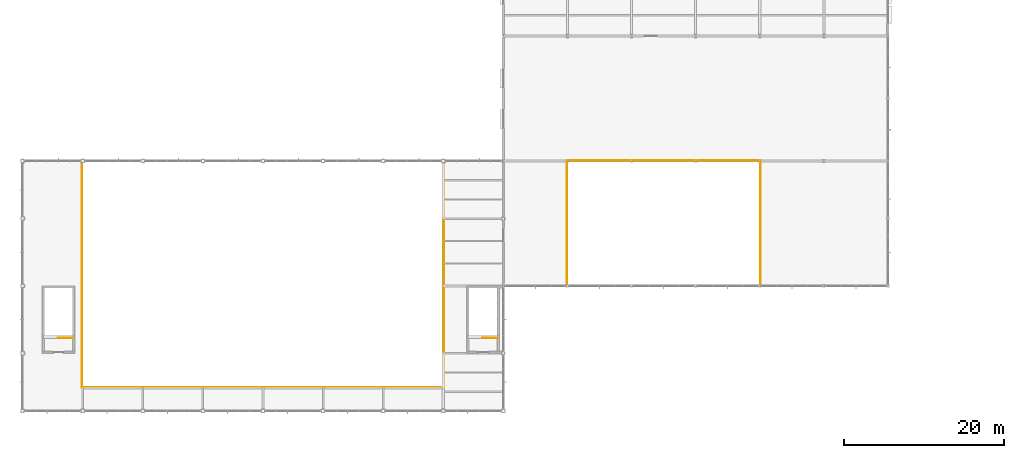
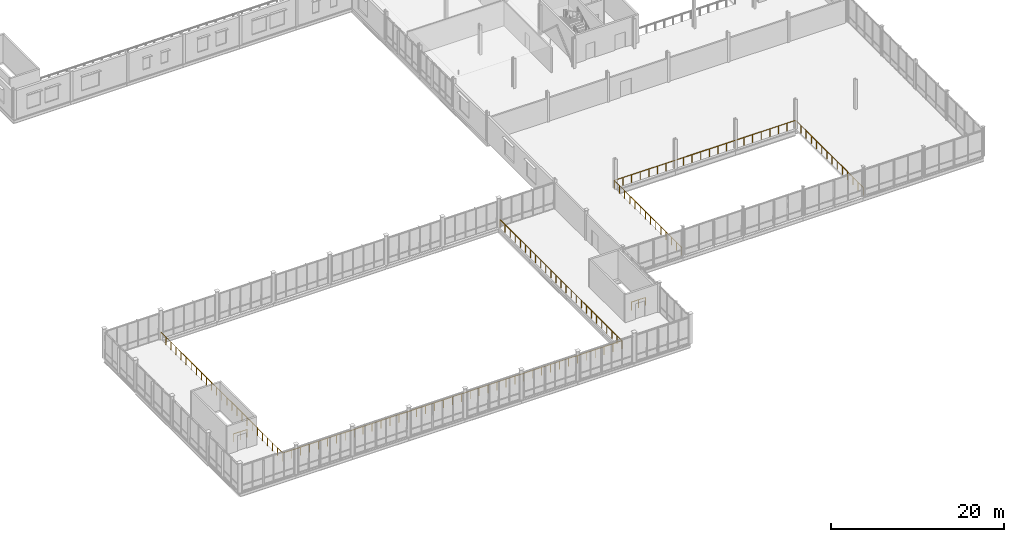
# One storey, part 72 of 75: 4 railings.
"""IFC4 building model written with IfcOpenShell, lengths in metres."""

from ifc_helpers import new_model, si_unit, direction, frame, origin, origin_2d, place, context, subcontext, project, spatial, circle, extrude, material, layer, layer_set, type_object, element, save


model = new_model("IFC4")

# Units and contexts
model_context = context("Model", 3, precision=1e-05, world=origin(), true_north=direction((0.0, 1.0)))
body_context = subcontext(model_context, "Body", "Model", "MODEL_VIEW")
ifc_project = project(units=[si_unit("LENGTHUNIT", "METRE"), si_unit("AREAUNIT", "SQUARE_METRE"), si_unit("VOLUMEUNIT", "CUBIC_METRE"), si_unit("PLANEANGLEUNIT", "RADIAN"), si_unit("MASSUNIT", "GRAM", prefix="KILO")], contexts=[model_context])

# Site, building, storey
site_placement = place(None, origin())
site = spatial("IfcSite", under=ifc_project, at=site_placement, CompositionType="ELEMENT")
building_placement = place(site_placement, origin())
building = spatial("IfcBuilding", under=site, at=building_placement, Name="Yukiwa Park Conservatory and Herbarium", CompositionType="ELEMENT")
storey_placement = place(building_placement, frame((0.0, 0.0, 4.800048828125)))
storey = spatial("IfcBuildingStorey", under=building, at=storey_placement, Name="L01", CompositionType="ELEMENT", Elevation=4.800048828125)

# Railings
ifc_material_1 = material(Name="Steel Q235B", Category="steel")
ifc_layer_1 = layer(ifc_material_1, 0.050048828125)
ifc_layer_set_1 = layer_set([ifc_layer_1], Name="Steel Q235B")
railing_type_1 = type_object("IfcRailingType", Name="RL-STAIR-GUARD-1120", PredefinedType="BALUSTRADE", material=ifc_layer_set_1)
for number, where, name in (
    (1, (6.25, 9.10009765625, 0.0), "L01 ST-C1 top well guard 1"),
    (2, (59.25, 9.10009765625, 0.0), "L01 ST-C2 top well guard 1"),
):
    element("IfcRailing", number, at=place(storey_placement, frame(where)), inside=storey, type_object=railing_type_1, Name=name, PredefinedType="BALUSTRADE", context=body_context, shape_type="SweptSolid", body=[
        extrude(circle(Radius=0.02392578125, at=origin_2d()), frame((0.0, 0.0, 1.09619140625), z_axis=(-1.0, 0.0, 0.0), x_axis=(0.0, -1.0, 0.0)), (0.0, 0.0, 1.0), 1.85009765625),
        extrude(circle(Radius=0.02099609375, at=origin_2d()), origin(), (0.0, 0.0, 1.0), 1.072021484375),
        extrude(circle(Radius=0.02099609375, at=origin_2d()), frame((-0.925048828125, 0.0, 0.0)), (0.0, 0.0, 1.0), 1.072021484375),
        extrude(circle(Radius=0.02099609375, at=origin_2d()), frame((-1.85009765625, 0.0, 0.0)), (0.0, 0.0, 1.0), 1.072021484375),
    ])
ifc_material_2 = material(Name="Laminated Tempered Safety Glass", Category="glass")
ifc_layer_2 = layer(ifc_material_2, 0.06005859375)
ifc_layer_set_2 = layer_set([ifc_layer_2], Name="Laminated Tempered Safety Glass")
railing_type_2 = type_object("IfcRailingType", Name="RL-VOID-GUARD-1120", PredefinedType="BALUSTRADE", material=ifc_layer_set_2)
railing_1_placement = place(storey_placement, frame((7.419921875, 31.050048828125, 0.0)))
element("IfcRailing", 3, at=railing_1_placement, inside=storey, type_object=railing_type_2, Name="L01 interior atrium and mezzanine balustrade RL-INT-L01-CWALK1", PredefinedType="BALUSTRADE", context=body_context, shape_type="SweptSolid", body=[
    extrude(circle(Radius=0.02392578125, at=origin_2d()), frame((0.0, 0.0, 1.09619140625), z_axis=(0.0, -1.0, 0.0), x_axis=(1.0, 0.0, 0.0)), (0.0, 0.0, 1.0), 28.130126953125),
    extrude(circle(Radius=0.02392578125, at=origin_2d()), frame((0.0, -28.130126953125, 1.09619140625), z_axis=(1.0, 0.0, 0.0), x_axis=(0.0, 1.0, 0.0)), (0.0, 0.0, 1.0), 45.16015625),
    extrude(circle(Radius=0.02392578125, at=origin_2d()), frame((45.16015625, -28.130126953125, 1.09619140625), z_axis=(0.0, 1.0, 0.0), x_axis=(-1.0, 0.0, 0.0)), (0.0, 0.0, 1.0), 28.130126953125),
    extrude(circle(Radius=0.02099609375, at=origin_2d()), origin(), (0.0, 0.0, 1.0), 1.072021484375),
    extrude(circle(Radius=0.02099609375, at=origin_2d()), frame((0.0, -1.172119140625, 0.0)), (0.0, 0.0, 1.0), 1.072021484375),
    extrude(circle(Radius=0.02099609375, at=origin_2d()), frame((0.0, -2.34423828125, 0.0)), (0.0, 0.0, 1.0), 1.072021484375),
    extrude(circle(Radius=0.02099609375, at=origin_2d()), frame((0.0, -3.516357421875, 0.0)), (0.0, 0.0, 1.0), 1.072021484375),
    extrude(circle(Radius=0.02099609375, at=origin_2d()), frame((0.0, -4.6884765625, 0.0)), (0.0, 0.0, 1.0), 1.072021484375),
    extrude(circle(Radius=0.02099609375, at=origin_2d()), frame((0.0, -5.8603515625, 0.0)), (0.0, 0.0, 1.0), 1.072021484375),
    extrude(circle(Radius=0.02099609375, at=origin_2d()), frame((0.0, -7.032470703125, 0.0)), (0.0, 0.0, 1.0), 1.072021484375),
    extrude(circle(Radius=0.02099609375, at=origin_2d()), frame((0.0, -8.20458984375, 0.0)), (0.0, 0.0, 1.0), 1.072021484375),
    extrude(circle(Radius=0.02099609375, at=origin_2d()), frame((0.0, -9.376708984375, 0.0)), (0.0, 0.0, 1.0), 1.072021484375),
    extrude(circle(Radius=0.02099609375, at=origin_2d()), frame((0.0, -10.548828125, 0.0)), (0.0, 0.0, 1.0), 1.072021484375),
    extrude(circle(Radius=0.02099609375, at=origin_2d()), frame((0.0, -11.720947265625, 0.0)), (0.0, 0.0, 1.0), 1.072021484375),
    extrude(circle(Radius=0.02099609375, at=origin_2d()), frame((0.0, -12.89306640625, 0.0)), (0.0, 0.0, 1.0), 1.072021484375),
    extrude(circle(Radius=0.02099609375, at=origin_2d()), frame((0.0, -14.06494140625, 0.0)), (0.0, 0.0, 1.0), 1.072021484375),
    extrude(circle(Radius=0.02099609375, at=origin_2d()), frame((0.0, -15.237060546875, 0.0)), (0.0, 0.0, 1.0), 1.072021484375),
    extrude(circle(Radius=0.02099609375, at=origin_2d()), frame((0.0, -16.4091796875, 0.0)), (0.0, 0.0, 1.0), 1.072021484375),
    extrude(circle(Radius=0.02099609375, at=origin_2d()), frame((0.0, -17.581298828125, 0.0)), (0.0, 0.0, 1.0), 1.072021484375),
    extrude(circle(Radius=0.02099609375, at=origin_2d()), frame((0.0, -18.75341796875, 0.0)), (0.0, 0.0, 1.0), 1.072021484375),
    extrude(circle(Radius=0.02099609375, at=origin_2d()), frame((0.0, -19.925537109375, 0.0)), (0.0, 0.0, 1.0), 1.072021484375),
    extrude(circle(Radius=0.02099609375, at=origin_2d()), frame((0.0, -21.09765625, 0.0)), (0.0, 0.0, 1.0), 1.072021484375),
    extrude(circle(Radius=0.02099609375, at=origin_2d()), frame((0.0, -22.269775390625, 0.0)), (0.0, 0.0, 1.0), 1.072021484375),
    extrude(circle(Radius=0.02099609375, at=origin_2d()), frame((0.0, -23.44189453125, 0.0)), (0.0, 0.0, 1.0), 1.072021484375),
    extrude(circle(Radius=0.02099609375, at=origin_2d()), frame((0.0, -24.61376953125, 0.0)), (0.0, 0.0, 1.0), 1.072021484375),
    extrude(circle(Radius=0.02099609375, at=origin_2d()), frame((0.0, -25.785888671875, 0.0)), (0.0, 0.0, 1.0), 1.072021484375),
    extrude(circle(Radius=0.02099609375, at=origin_2d()), frame((0.0, -26.9580078125, 0.0)), (0.0, 0.0, 1.0), 1.072021484375),
    extrude(circle(Radius=0.02099609375, at=origin_2d()), frame((0.0, -28.130126953125, 0.0)), (0.0, 0.0, 1.0), 1.072021484375),
    extrude(circle(Radius=0.02099609375, at=origin_2d()), frame((1.1884765625, -28.130126953125, 0.0)), (0.0, 0.0, 1.0), 1.072021484375),
    extrude(circle(Radius=0.02099609375, at=origin_2d()), frame((2.376953125, -28.130126953125, 0.0)), (0.0, 0.0, 1.0), 1.072021484375),
    extrude(circle(Radius=0.02099609375, at=origin_2d()), frame((3.565185546875, -28.130126953125, 0.0)), (0.0, 0.0, 1.0), 1.072021484375),
    extrude(circle(Radius=0.02099609375, at=origin_2d()), frame((4.753662109375, -28.130126953125, 0.0)), (0.0, 0.0, 1.0), 1.072021484375),
    extrude(circle(Radius=0.02099609375, at=origin_2d()), frame((5.942138671875, -28.130126953125, 0.0)), (0.0, 0.0, 1.0), 1.072021484375),
    extrude(circle(Radius=0.02099609375, at=origin_2d()), frame((7.130615234375, -28.130126953125, 0.0)), (0.0, 0.0, 1.0), 1.072021484375),
    extrude(circle(Radius=0.02099609375, at=origin_2d()), frame((8.319091796875, -28.130126953125, 0.0)), (0.0, 0.0, 1.0), 1.072021484375),
    extrude(circle(Radius=0.02099609375, at=origin_2d()), frame((9.50732421875, -28.130126953125, 0.0)), (0.0, 0.0, 1.0), 1.072021484375),
    extrude(circle(Radius=0.02099609375, at=origin_2d()), frame((10.69580078125, -28.130126953125, 0.0)), (0.0, 0.0, 1.0), 1.072021484375),
    extrude(circle(Radius=0.02099609375, at=origin_2d()), frame((11.88427734375, -28.130126953125, 0.0)), (0.0, 0.0, 1.0), 1.072021484375),
    extrude(circle(Radius=0.02099609375, at=origin_2d()), frame((13.07275390625, -28.130126953125, 0.0)), (0.0, 0.0, 1.0), 1.072021484375),
    extrude(circle(Radius=0.02099609375, at=origin_2d()), frame((14.260986328125, -28.130126953125, 0.0)), (0.0, 0.0, 1.0), 1.072021484375),
    extrude(circle(Radius=0.02099609375, at=origin_2d()), frame((15.449462890625, -28.130126953125, 0.0)), (0.0, 0.0, 1.0), 1.072021484375),
    extrude(circle(Radius=0.02099609375, at=origin_2d()), frame((16.637939453125, -28.130126953125, 0.0)), (0.0, 0.0, 1.0), 1.072021484375),
    extrude(circle(Radius=0.02099609375, at=origin_2d()), frame((17.826416015625, -28.130126953125, 0.0)), (0.0, 0.0, 1.0), 1.072021484375),
    extrude(circle(Radius=0.02099609375, at=origin_2d()), frame((19.014892578125, -28.130126953125, 0.0)), (0.0, 0.0, 1.0), 1.072021484375),
    extrude(circle(Radius=0.02099609375, at=origin_2d()), frame((20.203125, -28.130126953125, 0.0)), (0.0, 0.0, 1.0), 1.072021484375),
    extrude(circle(Radius=0.02099609375, at=origin_2d()), frame((21.3916015625, -28.130126953125, 0.0)), (0.0, 0.0, 1.0), 1.072021484375),
    extrude(circle(Radius=0.02099609375, at=origin_2d()), frame((22.580078125, -28.130126953125, 0.0)), (0.0, 0.0, 1.0), 1.072021484375),
    extrude(circle(Radius=0.02099609375, at=origin_2d()), frame((23.7685546875, -28.130126953125, 0.0)), (0.0, 0.0, 1.0), 1.072021484375),
    extrude(circle(Radius=0.02099609375, at=origin_2d()), frame((24.95703125, -28.130126953125, 0.0)), (0.0, 0.0, 1.0), 1.072021484375),
    extrude(circle(Radius=0.02099609375, at=origin_2d()), frame((26.145263671875, -28.130126953125, 0.0)), (0.0, 0.0, 1.0), 1.072021484375),
    extrude(circle(Radius=0.02099609375, at=origin_2d()), frame((27.333740234375, -28.130126953125, 0.0)), (0.0, 0.0, 1.0), 1.072021484375),
    extrude(circle(Radius=0.02099609375, at=origin_2d()), frame((28.522216796875, -28.130126953125, 0.0)), (0.0, 0.0, 1.0), 1.072021484375),
    extrude(circle(Radius=0.02099609375, at=origin_2d()), frame((29.710693359375, -28.130126953125, 0.0)), (0.0, 0.0, 1.0), 1.072021484375),
    extrude(circle(Radius=0.02099609375, at=origin_2d()), frame((30.899169921875, -28.130126953125, 0.0)), (0.0, 0.0, 1.0), 1.072021484375),
    extrude(circle(Radius=0.02099609375, at=origin_2d()), frame((32.08740234375, -28.130126953125, 0.0)), (0.0, 0.0, 1.0), 1.072021484375),
    extrude(circle(Radius=0.02099609375, at=origin_2d()), frame((33.27587890625, -28.130126953125, 0.0)), (0.0, 0.0, 1.0), 1.072021484375),
    extrude(circle(Radius=0.02099609375, at=origin_2d()), frame((34.46435546875, -28.130126953125, 0.0)), (0.0, 0.0, 1.0), 1.072021484375),
    extrude(circle(Radius=0.02099609375, at=origin_2d()), frame((35.65283203125, -28.130126953125, 0.0)), (0.0, 0.0, 1.0), 1.072021484375),
    extrude(circle(Radius=0.02099609375, at=origin_2d()), frame((36.841064453125, -28.130126953125, 0.0)), (0.0, 0.0, 1.0), 1.072021484375),
    extrude(circle(Radius=0.02099609375, at=origin_2d()), frame((38.029541015625, -28.130126953125, 0.0)), (0.0, 0.0, 1.0), 1.072021484375),
    extrude(circle(Radius=0.02099609375, at=origin_2d()), frame((39.218017578125, -28.130126953125, 0.0)), (0.0, 0.0, 1.0), 1.072021484375),
    extrude(circle(Radius=0.02099609375, at=origin_2d()), frame((40.406494140625, -28.130126953125, 0.0)), (0.0, 0.0, 1.0), 1.072021484375),
    extrude(circle(Radius=0.02099609375, at=origin_2d()), frame((41.594970703125, -28.130126953125, 0.0)), (0.0, 0.0, 1.0), 1.072021484375),
    extrude(circle(Radius=0.02099609375, at=origin_2d()), frame((42.783203125, -28.130126953125, 0.0)), (0.0, 0.0, 1.0), 1.072021484375),
    extrude(circle(Radius=0.02099609375, at=origin_2d()), frame((43.9716796875, -28.130126953125, 0.0)), (0.0, 0.0, 1.0), 1.072021484375),
    extrude(circle(Radius=0.02099609375, at=origin_2d()), frame((45.16015625, -28.130126953125, 0.0)), (0.0, 0.0, 1.0), 1.072021484375),
    extrude(circle(Radius=0.02099609375, at=origin_2d()), frame((45.16015625, -26.9580078125, 0.0)), (0.0, 0.0, 1.0), 1.072021484375),
    extrude(circle(Radius=0.02099609375, at=origin_2d()), frame((45.16015625, -25.785888671875, 0.0)), (0.0, 0.0, 1.0), 1.072021484375),
    extrude(circle(Radius=0.02099609375, at=origin_2d()), frame((45.16015625, -24.61376953125, 0.0)), (0.0, 0.0, 1.0), 1.072021484375),
    extrude(circle(Radius=0.02099609375, at=origin_2d()), frame((45.16015625, -23.44189453125, 0.0)), (0.0, 0.0, 1.0), 1.072021484375),
    extrude(circle(Radius=0.02099609375, at=origin_2d()), frame((45.16015625, -22.269775390625, 0.0)), (0.0, 0.0, 1.0), 1.072021484375),
    extrude(circle(Radius=0.02099609375, at=origin_2d()), frame((45.16015625, -21.09765625, 0.0)), (0.0, 0.0, 1.0), 1.072021484375),
    extrude(circle(Radius=0.02099609375, at=origin_2d()), frame((45.16015625, -19.925537109375, 0.0)), (0.0, 0.0, 1.0), 1.072021484375),
    extrude(circle(Radius=0.02099609375, at=origin_2d()), frame((45.16015625, -18.75341796875, 0.0)), (0.0, 0.0, 1.0), 1.072021484375),
    extrude(circle(Radius=0.02099609375, at=origin_2d()), frame((45.16015625, -17.581298828125, 0.0)), (0.0, 0.0, 1.0), 1.072021484375),
    extrude(circle(Radius=0.02099609375, at=origin_2d()), frame((45.16015625, -16.4091796875, 0.0)), (0.0, 0.0, 1.0), 1.072021484375),
    extrude(circle(Radius=0.02099609375, at=origin_2d()), frame((45.16015625, -15.237060546875, 0.0)), (0.0, 0.0, 1.0), 1.072021484375),
    extrude(circle(Radius=0.02099609375, at=origin_2d()), frame((45.16015625, -14.06494140625, 0.0)), (0.0, 0.0, 1.0), 1.072021484375),
    extrude(circle(Radius=0.02099609375, at=origin_2d()), frame((45.16015625, -12.89306640625, 0.0)), (0.0, 0.0, 1.0), 1.072021484375),
    extrude(circle(Radius=0.02099609375, at=origin_2d()), frame((45.16015625, -11.720947265625, 0.0)), (0.0, 0.0, 1.0), 1.072021484375),
    extrude(circle(Radius=0.02099609375, at=origin_2d()), frame((45.16015625, -10.548828125, 0.0)), (0.0, 0.0, 1.0), 1.072021484375),
    extrude(circle(Radius=0.02099609375, at=origin_2d()), frame((45.16015625, -9.376708984375, 0.0)), (0.0, 0.0, 1.0), 1.072021484375),
    extrude(circle(Radius=0.02099609375, at=origin_2d()), frame((45.16015625, -8.20458984375, 0.0)), (0.0, 0.0, 1.0), 1.072021484375),
    extrude(circle(Radius=0.02099609375, at=origin_2d()), frame((45.16015625, -7.032470703125, 0.0)), (0.0, 0.0, 1.0), 1.072021484375),
    extrude(circle(Radius=0.02099609375, at=origin_2d()), frame((45.16015625, -5.8603515625, 0.0)), (0.0, 0.0, 1.0), 1.072021484375),
    extrude(circle(Radius=0.02099609375, at=origin_2d()), frame((45.16015625, -4.6884765625, 0.0)), (0.0, 0.0, 1.0), 1.072021484375),
    extrude(circle(Radius=0.02099609375, at=origin_2d()), frame((45.16015625, -3.516357421875, 0.0)), (0.0, 0.0, 1.0), 1.072021484375),
    extrude(circle(Radius=0.02099609375, at=origin_2d()), frame((45.16015625, -2.34423828125, 0.0)), (0.0, 0.0, 1.0), 1.072021484375),
    extrude(circle(Radius=0.02099609375, at=origin_2d()), frame((45.16015625, -1.172119140625, 0.0)), (0.0, 0.0, 1.0), 1.072021484375),
    extrude(circle(Radius=0.02099609375, at=origin_2d()), frame((45.16015625, 0.0, 0.0)), (0.0, 0.0, 1.0), 1.072021484375),
])
railing_2_placement = place(storey_placement, frame((67.919921875, 15.719970703125, 0.0)))
element("IfcRailing", 4, at=railing_2_placement, inside=storey, type_object=railing_type_2, Name="L01 interior atrium and mezzanine balustrade RL-INT-L01-BRIDGE", PredefinedType="BALUSTRADE", context=body_context, shape_type="SweptSolid", body=[
    extrude(circle(Radius=0.02392578125, at=origin_2d()), frame((0.0, 0.0, 1.09619140625), z_axis=(0.0, 1.0, 0.0), x_axis=(-1.0, 0.0, 0.0)), (0.0, 0.0, 1.0), 15.56005859375),
    extrude(circle(Radius=0.02392578125, at=origin_2d()), frame((0.0, 15.56005859375, 1.09619140625), z_axis=(1.0, 0.0, 0.0), x_axis=(0.0, 1.0, 0.0)), (0.0, 0.0, 1.0), 24.16015625),
    extrude(circle(Radius=0.02392578125, at=origin_2d()), frame((24.16015625, 15.56005859375, 1.09619140625), z_axis=(0.0, -1.0, 0.0), x_axis=(1.0, 0.0, 0.0)), (0.0, 0.0, 1.0), 15.56005859375),
    extrude(circle(Radius=0.02099609375, at=origin_2d()), origin(), (0.0, 0.0, 1.0), 1.072021484375),
    extrude(circle(Radius=0.02099609375, at=origin_2d()), frame((0.0, 1.197021484375, 0.0)), (0.0, 0.0, 1.0), 1.072021484375),
    extrude(circle(Radius=0.02099609375, at=origin_2d()), frame((0.0, 2.393798828125, 0.0)), (0.0, 0.0, 1.0), 1.072021484375),
    extrude(circle(Radius=0.02099609375, at=origin_2d()), frame((0.0, 3.5908203125, 0.0)), (0.0, 0.0, 1.0), 1.072021484375),
    extrude(circle(Radius=0.02099609375, at=origin_2d()), frame((0.0, 4.78759765625, 0.0)), (0.0, 0.0, 1.0), 1.072021484375),
    extrude(circle(Radius=0.02099609375, at=origin_2d()), frame((0.0, 5.984619140625, 0.0)), (0.0, 0.0, 1.0), 1.072021484375),
    extrude(circle(Radius=0.02099609375, at=origin_2d()), frame((0.0, 7.181640625, 0.0)), (0.0, 0.0, 1.0), 1.072021484375),
    extrude(circle(Radius=0.02099609375, at=origin_2d()), frame((0.0, 8.37841796875, 0.0)), (0.0, 0.0, 1.0), 1.072021484375),
    extrude(circle(Radius=0.02099609375, at=origin_2d()), frame((0.0, 9.575439453125, 0.0)), (0.0, 0.0, 1.0), 1.072021484375),
    extrude(circle(Radius=0.02099609375, at=origin_2d()), frame((0.0, 10.7724609375, 0.0)), (0.0, 0.0, 1.0), 1.072021484375),
    extrude(circle(Radius=0.02099609375, at=origin_2d()), frame((0.0, 11.96923828125, 0.0)), (0.0, 0.0, 1.0), 1.072021484375),
    extrude(circle(Radius=0.02099609375, at=origin_2d()), frame((0.0, 13.166259765625, 0.0)), (0.0, 0.0, 1.0), 1.072021484375),
    extrude(circle(Radius=0.02099609375, at=origin_2d()), frame((0.0, 14.363037109375, 0.0)), (0.0, 0.0, 1.0), 1.072021484375),
    extrude(circle(Radius=0.02099609375, at=origin_2d()), frame((0.0, 15.56005859375, 0.0)), (0.0, 0.0, 1.0), 1.072021484375),
    extrude(circle(Radius=0.02099609375, at=origin_2d()), frame((1.150390625, 15.56005859375, 0.0)), (0.0, 0.0, 1.0), 1.072021484375),
    extrude(circle(Radius=0.02099609375, at=origin_2d()), frame((2.301025390625, 15.56005859375, 0.0)), (0.0, 0.0, 1.0), 1.072021484375),
    extrude(circle(Radius=0.02099609375, at=origin_2d()), frame((3.451416015625, 15.56005859375, 0.0)), (0.0, 0.0, 1.0), 1.072021484375),
    extrude(circle(Radius=0.02099609375, at=origin_2d()), frame((4.60205078125, 15.56005859375, 0.0)), (0.0, 0.0, 1.0), 1.072021484375),
    extrude(circle(Radius=0.02099609375, at=origin_2d()), frame((5.75244140625, 15.56005859375, 0.0)), (0.0, 0.0, 1.0), 1.072021484375),
    extrude(circle(Radius=0.02099609375, at=origin_2d()), frame((6.90283203125, 15.56005859375, 0.0)), (0.0, 0.0, 1.0), 1.072021484375),
    extrude(circle(Radius=0.02099609375, at=origin_2d()), frame((8.053466796875, 15.56005859375, 0.0)), (0.0, 0.0, 1.0), 1.072021484375),
    extrude(circle(Radius=0.02099609375, at=origin_2d()), frame((9.203857421875, 15.56005859375, 0.0)), (0.0, 0.0, 1.0), 1.072021484375),
    extrude(circle(Radius=0.02099609375, at=origin_2d()), frame((10.354248046875, 15.56005859375, 0.0)), (0.0, 0.0, 1.0), 1.072021484375),
    extrude(circle(Radius=0.02099609375, at=origin_2d()), frame((11.5048828125, 15.56005859375, 0.0)), (0.0, 0.0, 1.0), 1.072021484375),
    extrude(circle(Radius=0.02099609375, at=origin_2d()), frame((12.6552734375, 15.56005859375, 0.0)), (0.0, 0.0, 1.0), 1.072021484375),
    extrude(circle(Radius=0.02099609375, at=origin_2d()), frame((13.805908203125, 15.56005859375, 0.0)), (0.0, 0.0, 1.0), 1.072021484375),
    extrude(circle(Radius=0.02099609375, at=origin_2d()), frame((14.956298828125, 15.56005859375, 0.0)), (0.0, 0.0, 1.0), 1.072021484375),
    extrude(circle(Radius=0.02099609375, at=origin_2d()), frame((16.106689453125, 15.56005859375, 0.0)), (0.0, 0.0, 1.0), 1.072021484375),
    extrude(circle(Radius=0.02099609375, at=origin_2d()), frame((17.25732421875, 15.56005859375, 0.0)), (0.0, 0.0, 1.0), 1.072021484375),
    extrude(circle(Radius=0.02099609375, at=origin_2d()), frame((18.40771484375, 15.56005859375, 0.0)), (0.0, 0.0, 1.0), 1.072021484375),
    extrude(circle(Radius=0.02099609375, at=origin_2d()), frame((19.55810546875, 15.56005859375, 0.0)), (0.0, 0.0, 1.0), 1.072021484375),
    extrude(circle(Radius=0.02099609375, at=origin_2d()), frame((20.708740234375, 15.56005859375, 0.0)), (0.0, 0.0, 1.0), 1.072021484375),
    extrude(circle(Radius=0.02099609375, at=origin_2d()), frame((21.859130859375, 15.56005859375, 0.0)), (0.0, 0.0, 1.0), 1.072021484375),
    extrude(circle(Radius=0.02099609375, at=origin_2d()), frame((23.009765625, 15.56005859375, 0.0)), (0.0, 0.0, 1.0), 1.072021484375),
    extrude(circle(Radius=0.02099609375, at=origin_2d()), frame((24.16015625, 15.56005859375, 0.0)), (0.0, 0.0, 1.0), 1.072021484375),
    extrude(circle(Radius=0.02099609375, at=origin_2d()), frame((24.16015625, 14.363037109375, 0.0)), (0.0, 0.0, 1.0), 1.072021484375),
    extrude(circle(Radius=0.02099609375, at=origin_2d()), frame((24.16015625, 13.166259765625, 0.0)), (0.0, 0.0, 1.0), 1.072021484375),
    extrude(circle(Radius=0.02099609375, at=origin_2d()), frame((24.16015625, 11.96923828125, 0.0)), (0.0, 0.0, 1.0), 1.072021484375),
    extrude(circle(Radius=0.02099609375, at=origin_2d()), frame((24.16015625, 10.7724609375, 0.0)), (0.0, 0.0, 1.0), 1.072021484375),
    extrude(circle(Radius=0.02099609375, at=origin_2d()), frame((24.16015625, 9.575439453125, 0.0)), (0.0, 0.0, 1.0), 1.072021484375),
    extrude(circle(Radius=0.02099609375, at=origin_2d()), frame((24.16015625, 8.37841796875, 0.0)), (0.0, 0.0, 1.0), 1.072021484375),
    extrude(circle(Radius=0.02099609375, at=origin_2d()), frame((24.16015625, 7.181640625, 0.0)), (0.0, 0.0, 1.0), 1.072021484375),
    extrude(circle(Radius=0.02099609375, at=origin_2d()), frame((24.16015625, 5.984619140625, 0.0)), (0.0, 0.0, 1.0), 1.072021484375),
    extrude(circle(Radius=0.02099609375, at=origin_2d()), frame((24.16015625, 4.78759765625, 0.0)), (0.0, 0.0, 1.0), 1.072021484375),
    extrude(circle(Radius=0.02099609375, at=origin_2d()), frame((24.16015625, 3.5908203125, 0.0)), (0.0, 0.0, 1.0), 1.072021484375),
    extrude(circle(Radius=0.02099609375, at=origin_2d()), frame((24.16015625, 2.393798828125, 0.0)), (0.0, 0.0, 1.0), 1.072021484375),
    extrude(circle(Radius=0.02099609375, at=origin_2d()), frame((24.16015625, 1.197021484375, 0.0)), (0.0, 0.0, 1.0), 1.072021484375),
    extrude(circle(Radius=0.02099609375, at=origin_2d()), frame((24.16015625, 0.0, 0.0)), (0.0, 0.0, 1.0), 1.072021484375),
])

save(model, "model.ifc")
